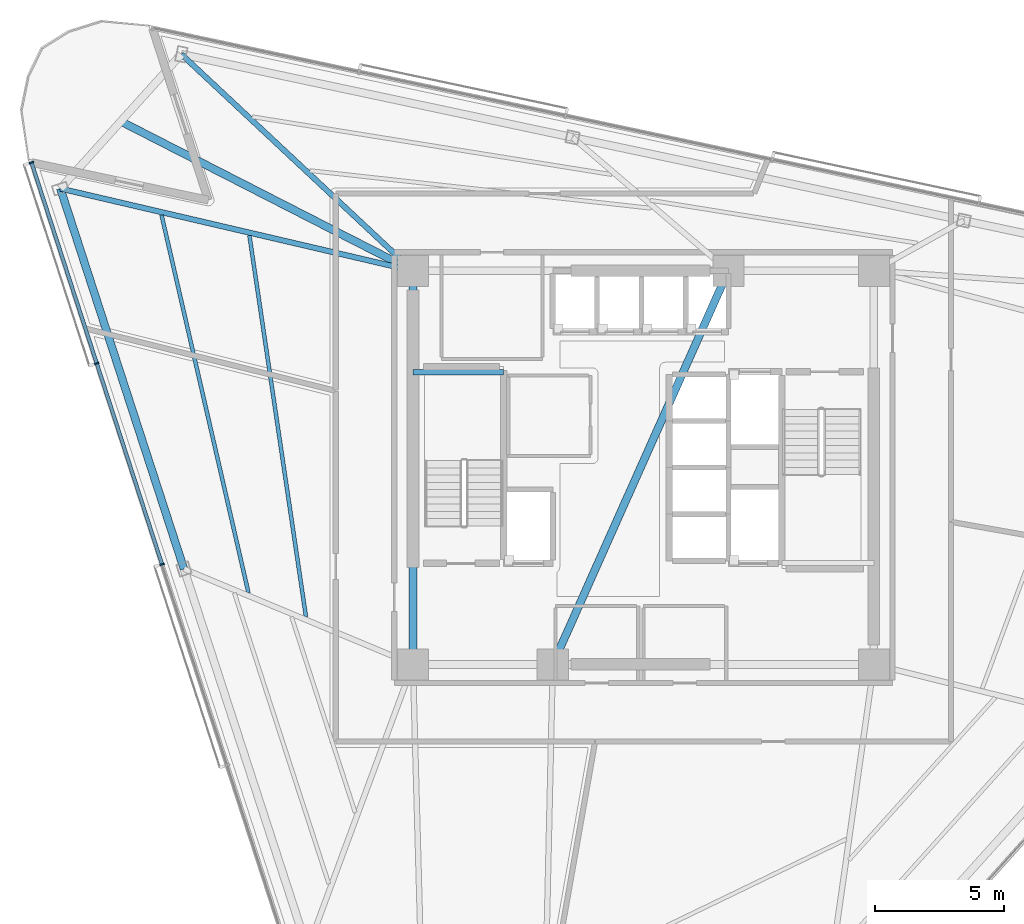
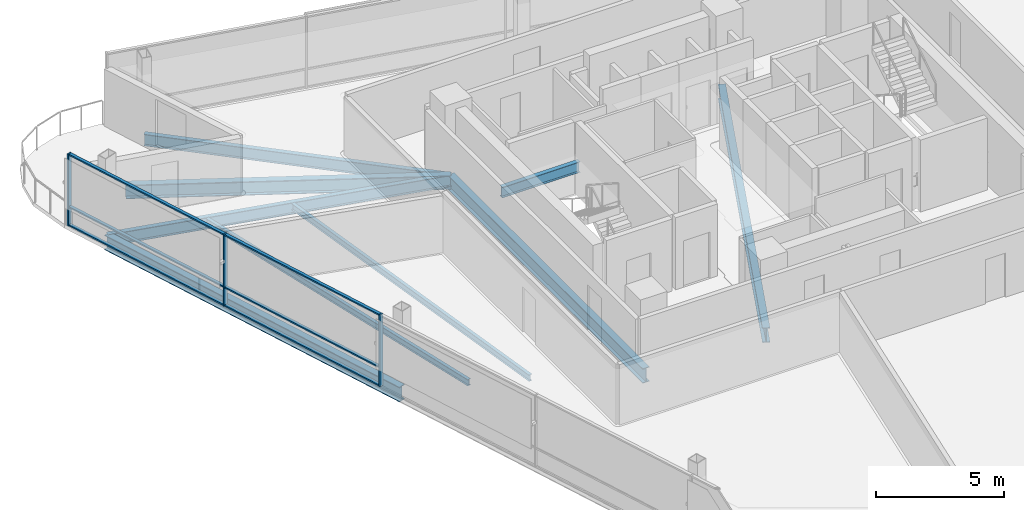
# One storey, part 5 of 16: 9 beams, 9 members, 1 element without a shape of its own.
"""IFC4 building model written with IfcOpenShell, lengths in metres."""

from ifc_helpers import new_model, si_unit, direction, frame, origin, origin_2d, place, context, subcontext, project, spatial, rectangle, i_section, extrude, material, layer, layer_set, material_profile, profile_set, type_object, element, aggregate, save


model = new_model("IFC4")

# Units and contexts
model_context = context("Model", 3, precision=1e-05, world=origin(), true_north=direction((0.0, 1.0)))
body_context = subcontext(model_context, "Body", "Model", "MODEL_VIEW")
ifc_project = project(units=[si_unit("LENGTHUNIT", "METRE"), si_unit("AREAUNIT", "SQUARE_METRE"), si_unit("VOLUMEUNIT", "CUBIC_METRE"), si_unit("PLANEANGLEUNIT", "RADIAN"), si_unit("MASSUNIT", "GRAM", prefix="KILO")], contexts=[model_context])

# Site, building, storey
site_placement = place(None, origin())
site = spatial("IfcSite", under=ifc_project, at=site_placement, CompositionType="ELEMENT")
building_placement = place(site_placement, origin())
building = spatial("IfcBuilding", under=site, at=building_placement, Name="Tharavind Bronze Gate", CompositionType="ELEMENT")
storey_placement = place(building_placement, frame((0.0, 0.0, 211.25)))
storey = spatial("IfcBuildingStorey", under=building, at=storey_placement, Name="L54", CompositionType="ELEMENT", Elevation=211.25)

# Curtain wall, members
ifc_material_1 = material(Name="Anodised Bronze Aluminium", Category="aluminium")
ifc_layer = layer(ifc_material_1, 0.219970703125)
ifc_layer_set = layer_set([ifc_layer], Name="Anodised Bronze Aluminium")
curtain_wall_type = type_object("IfcCurtainWallType", Name="UNITISED CURTAIN WALL MID OFFICE", PredefinedType="USERDEFINED", material=ifc_layer_set)
curtain_wall_placement = place(storey_placement, origin())
curtain_wall = element("IfcCurtainWall", 1, at=curtain_wall_placement, inside=storey, type_object=curtain_wall_type, Name="L54 unitised curtain wall mid office CW-L54-S1", ObjectType="UNITISED CURTAIN WALL", PredefinedType="USERDEFINED")
member_type_1 = type_object("IfcMemberType", Name="CURTAIN WALL BRONZE MULLION 65X180", PredefinedType="MULLION", material=ifc_material_1)
member_1_placement = place(storey_placement, frame((-23.630126953125, 11.780517578125, 0.0), z_axis=(0.0, 0.0, 1.0), x_axis=(0.309016994375, -0.951056516295, 0.0)))
member_1 = element("IfcMember", 2, at=member_1_placement, type_object=member_type_1, Name="CW-L54-S1 mullion 1", PredefinedType="MULLION", context=body_context, shape_type="SweptSolid", body=[
    extrude(rectangle(XDim=0.06494140625, YDim=0.179931640625, at=origin_2d()), origin(), (0.0, 0.0, 1.0), 3.419921875),
])
member_2_placement = place(storey_placement, frame((-21.10986328125, 4.02392578125, 0.0), z_axis=(0.0, 0.0, 1.0), x_axis=(0.309016994375, -0.951056516295, 0.0)))
member_2 = element("IfcMember", 3, at=member_2_placement, type_object=member_type_1, Name="CW-L54-S1 mullion 2", PredefinedType="MULLION", context=body_context, shape_type="SweptSolid", body=[
    extrude(rectangle(XDim=0.06494140625, YDim=0.179931640625, at=origin_2d()), origin(), (0.0, 0.0, 1.0), 3.419921875),
])
member_3_placement = place(storey_placement, frame((-18.589599609375, -3.732666015625, 0.0), z_axis=(0.0, 0.0, 1.0), x_axis=(0.309016994375, -0.951056516295, 0.0)))
member_3 = element("IfcMember", 4, at=member_3_placement, type_object=member_type_1, Name="CW-L54-S1 mullion 3", PredefinedType="MULLION", context=body_context, shape_type="SweptSolid", body=[
    extrude(rectangle(XDim=0.06494140625, YDim=0.179931640625, at=origin_2d()), origin(), (0.0, 0.0, 1.0), 3.419921875),
])
member_type_2 = type_object("IfcMemberType", Name="CURTAIN WALL BRONZE TRANSOM 65X140", PredefinedType="USERDEFINED", material=ifc_material_1)
member_4_placement = place(storey_placement, frame((-22.3701171875, 7.902099609375, 0.0), z_axis=(0.0, 0.0, 1.0), x_axis=(0.309016994375, -0.951056516295, 0.0)))
member_4 = element("IfcMember", 5, at=member_4_placement, type_object=member_type_2, Name="CW-L54-S1 transom TB1", ObjectType="TRANSOM", PredefinedType="USERDEFINED", context=body_context, shape_type="SweptSolid", body=[
    extrude(rectangle(XDim=8.102783203125, YDim=0.139892578125, at=origin_2d()), origin(), (0.0, 0.0, 1.0), 0.06494140625),
])
member_5_placement = place(storey_placement, frame((-22.3701171875, 7.902099609375, 0.867431640625), z_axis=(0.0, 0.0, 1.0), x_axis=(0.309016994375, -0.951056516295, 0.0)))
member_5 = element("IfcMember", 6, at=member_5_placement, type_object=member_type_2, Name="CW-L54-S1 transom TS1", ObjectType="TRANSOM", PredefinedType="USERDEFINED", context=body_context, shape_type="SweptSolid", body=[
    extrude(rectangle(XDim=8.102783203125, YDim=0.139892578125, at=origin_2d()), origin(), (0.0, 0.0, 1.0), 0.06494140625),
])
member_6_placement = place(storey_placement, frame((-22.3701171875, 7.902099609375, 3.35498046875), z_axis=(0.0, 0.0, 1.0), x_axis=(0.309016994375, -0.951056516295, 0.0)))
member_6 = element("IfcMember", 7, at=member_6_placement, type_object=member_type_2, Name="CW-L54-S1 transom TT1", ObjectType="TRANSOM", PredefinedType="USERDEFINED", context=body_context, shape_type="SweptSolid", body=[
    extrude(rectangle(XDim=8.102783203125, YDim=0.139892578125, at=origin_2d()), origin(), (0.0, 0.0, 1.0), 0.06494140625),
])
member_7_placement = place(storey_placement, frame((-19.849853515625, 0.145751953125, 0.0), z_axis=(0.0, 0.0, 1.0), x_axis=(0.309016994375, -0.951056516295, 0.0)))
member_7 = element("IfcMember", 8, at=member_7_placement, type_object=member_type_2, Name="CW-L54-S1 transom TB2", ObjectType="TRANSOM", PredefinedType="USERDEFINED", context=body_context, shape_type="SweptSolid", body=[
    extrude(rectangle(XDim=8.102783203125, YDim=0.139892578125, at=origin_2d()), origin(), (0.0, 0.0, 1.0), 0.06494140625),
])
member_8_placement = place(storey_placement, frame((-19.849853515625, 0.145751953125, 0.867431640625), z_axis=(0.0, 0.0, 1.0), x_axis=(0.309016994375, -0.951056516295, 0.0)))
member_8 = element("IfcMember", 9, at=member_8_placement, type_object=member_type_2, Name="CW-L54-S1 transom TS2", ObjectType="TRANSOM", PredefinedType="USERDEFINED", context=body_context, shape_type="SweptSolid", body=[
    extrude(rectangle(XDim=8.102783203125, YDim=0.139892578125, at=origin_2d()), origin(), (0.0, 0.0, 1.0), 0.06494140625),
])
member_9_placement = place(storey_placement, frame((-19.849853515625, 0.145751953125, 3.35498046875), z_axis=(0.0, 0.0, 1.0), x_axis=(0.309016994375, -0.951056516295, 0.0)))
member_9 = element("IfcMember", 10, at=member_9_placement, type_object=member_type_2, Name="CW-L54-S1 transom TT2", ObjectType="TRANSOM", PredefinedType="USERDEFINED", context=body_context, shape_type="SweptSolid", body=[
    extrude(rectangle(XDim=8.102783203125, YDim=0.139892578125, at=origin_2d()), origin(), (0.0, 0.0, 1.0), 0.06494140625),
])
aggregate(curtain_wall, [member_1, member_2, member_3, member_4, member_5, member_6, member_7, member_8, member_9])

# Beams
ifc_material_2 = material(Name="Steel S355", Category="steel")
ifc_material_profile_1 = material_profile(ifc_material_2, i_section(OverallWidth=0.300048828125, OverallDepth=0.64990234375, WebThickness=0.01611328125, FlangeThickness=0.031005859375, at=origin_2d()), Name="HE650B")
ifc_profile_set_1 = profile_set([ifc_material_profile_1], Name="Steel S355")
beam_type_1 = type_object("IfcBeamType", Name="PRIMARY GIRDER HE650B", PredefinedType="USERDEFINED", material=ifc_profile_set_1)
beam_1_placement = place(storey_placement, frame((-8.89990234375, 7.60009765625, -0.5048828125), z_axis=(-0.890281411762, 0.455410812202, 0.0), x_axis=(-0.455410812202, -0.890281411762, 0.0)))
element("IfcBeam", 11, at=beam_1_placement, inside=storey, type_object=beam_type_1, Name="L54 primary girder he650b BM-L54-BLCSB", ObjectType="GIRDER", PredefinedType="USERDEFINED", context=body_context, shape_type="SweptSolid", body=[
    extrude(i_section(OverallWidth=0.300048828125, OverallDepth=0.64990234375, WebThickness=0.01611328125, FlangeThickness=0.031005859375, at=origin_2d()), origin(), (0.0, 0.0, 1.0), 12.67041015625),
])
ifc_material_profile_2 = material_profile(ifc_material_2, i_section(OverallWidth=0.199951171875, OverallDepth=0.5, WebThickness=0.01025390625, FlangeThickness=0.01611328125, at=origin_2d()), Name="IPE500")
ifc_profile_set_2 = profile_set([ifc_material_profile_2], Name="Steel S355")
beam_type_2 = type_object("IfcBeamType", Name="PRIMARY GIRDER IPE500", PredefinedType="USERDEFINED", material=ifc_profile_set_2)
beam_2_placement = place(storey_placement, frame((-8.89990234375, 3.679931640625, 1.35009765625), z_axis=(1.0, 0.0, 0.0), x_axis=(0.0, 1.0, 0.0)))
element("IfcBeam", 12, at=beam_2_placement, inside=storey, type_object=beam_type_2, Name="L54 primary girder ipe500 BM-LD-ST1-L54-1", ObjectType="GIRDER", PredefinedType="USERDEFINED", context=body_context, shape_type="SweptSolid", body=[
    extrude(i_section(OverallWidth=0.199951171875, OverallDepth=0.5, WebThickness=0.01025390625, FlangeThickness=0.01611328125, at=origin_2d()), origin(), (0.0, 0.0, 1.0), 3.5),
])
ifc_material_profile_3 = material_profile(ifc_material_2, i_section(OverallWidth=0.2099609375, OverallDepth=0.550048828125, WebThickness=0.010986328125, FlangeThickness=0.01708984375, at=origin_2d()), Name="IPE550")
ifc_profile_set_3 = profile_set([ifc_material_profile_3], Name="Steel S355")
beam_type_3 = type_object("IfcBeamType", Name="PRIMARY GIRDER IPE550", PredefinedType="USERDEFINED", material=ifc_profile_set_3)
beam_3_placement = place(storey_placement, frame((-22.515380859375, 10.77685546875, -0.455078125), z_axis=(0.973844172145, -0.227216919219, 0.0), x_axis=(0.227216919219, 0.973844172145, 0.0)))
element("IfcBeam", 13, at=beam_3_placement, inside=storey, type_object=beam_type_3, Name="L54 primary girder ipe550 BM-L54-RAD01", ObjectType="GIRDER", PredefinedType="USERDEFINED", context=body_context, shape_type="SweptSolid", body=[
    extrude(i_section(OverallWidth=0.2099609375, OverallDepth=0.550048828125, WebThickness=0.010986328125, FlangeThickness=0.01708984375, at=origin_2d()), origin(), (0.0, 0.0, 1.0), 13.981201171875),
])
beam_4_placement = place(storey_placement, frame((-17.844970703125, 15.9638671875, -0.455078125), z_axis=(0.730442397204, -0.682974307252, 0.0), x_axis=(0.682974307252, 0.730442397204, 0.0)))
element("IfcBeam", 14, at=beam_4_placement, inside=storey, type_object=beam_type_3, Name="L54 primary girder ipe550 BM-L54-RAD12", ObjectType="GIRDER", PredefinedType="USERDEFINED", context=body_context, shape_type="SweptSolid", body=[
    extrude(i_section(OverallWidth=0.2099609375, OverallDepth=0.550048828125, WebThickness=0.010986328125, FlangeThickness=0.01708984375, at=origin_2d()), origin(), (0.0, 0.0, 1.0), 12.24609375),
])
ifc_material_profile_4 = material_profile(ifc_material_2, i_section(OverallWidth=0.300048828125, OverallDepth=0.699951171875, WebThickness=0.01708984375, FlangeThickness=0.031982421875, at=origin_2d()), Name="HE700B")
ifc_profile_set_4 = profile_set([ifc_material_profile_4], Name="Steel S355")
beam_type_4 = type_object("IfcBeamType", Name="RING GIRDER HE700B", PredefinedType="USERDEFINED", material=ifc_profile_set_4)
beam_5_placement = place(storey_placement, frame((-8.89990234375, 7.60009765625, -0.530029296875), z_axis=(0.0, -1.0, 0.0), x_axis=(1.0, 0.0, 0.0)))
element("IfcBeam", 15, at=beam_5_placement, inside=storey, type_object=beam_type_4, Name="L54 ring girder he700b BM-L54-CR6", ObjectType="GIRDER", PredefinedType="USERDEFINED", context=body_context, shape_type="SweptSolid", body=[
    extrude(i_section(OverallWidth=0.300048828125, OverallDepth=0.699951171875, WebThickness=0.01708984375, FlangeThickness=0.031982421875, at=origin_2d()), origin(), (0.0, 0.0, 1.0), 15.2001953125),
])
beam_6_placement = place(storey_placement, frame((-3.5, -7.60009765625, -0.530029296875), z_axis=(0.407361644566, 0.913266932795, 0.0), x_axis=(-0.913266932795, 0.407361644566, 0.0)))
element("IfcBeam", 16, at=beam_6_placement, inside=storey, type_object=beam_type_4, Name="L54 ring girder he700b BM-L54-CR7", ObjectType="GIRDER", PredefinedType="USERDEFINED", context=body_context, shape_type="SweptSolid", body=[
    extrude(i_section(OverallWidth=0.300048828125, OverallDepth=0.699951171875, WebThickness=0.01708984375, FlangeThickness=0.031982421875, at=origin_2d()), origin(), (0.0, 0.0, 1.0), 16.643798828125),
])
beam_7_placement = place(storey_placement, frame((-22.515380859375, 10.77685546875, -0.530029296875), z_axis=(0.309006009957, -0.951060085279, 0.0), x_axis=(0.951060085279, 0.309006009957, 0.0)))
element("IfcBeam", 17, at=beam_7_placement, inside=storey, type_object=beam_type_4, Name="L54 ring girder he700b BM-L54-PRG01", ObjectType="GIRDER", PredefinedType="USERDEFINED", context=body_context, shape_type="SweptSolid", body=[
    extrude(i_section(OverallWidth=0.300048828125, OverallDepth=0.699951171875, WebThickness=0.01708984375, FlangeThickness=0.031982421875, at=origin_2d()), origin(), (0.0, 0.0, 1.0), 15.4453125),
])
ifc_material_profile_5 = material_profile(ifc_material_2, i_section(OverallWidth=0.14990234375, OverallDepth=0.300048828125, WebThickness=0.007080078125, FlangeThickness=0.0107421875, at=origin_2d()), Name="IPE300")
ifc_profile_set_5 = profile_set([ifc_material_profile_5], Name="Steel S355")
beam_type_5 = type_object("IfcBeamType", Name="SECONDARY FLOOR JOIST IPE300", PredefinedType="JOIST", material=ifc_profile_set_5)
beam_8_placement = place(storey_placement, frame((-15.214111328125, 8.961669921875, -0.330078125), z_axis=(0.146719879942, -0.989178081454, 0.0), x_axis=(0.989178081454, 0.146719879942, 0.0)))
element("IfcBeam", 18, at=beam_8_placement, inside=storey, type_object=beam_type_5, Name="L54 secondary floor joist ipe300 BM-L54-JSTA01", PredefinedType="JOIST", context=body_context, shape_type="SweptSolid", body=[
    extrude(i_section(OverallWidth=0.14990234375, OverallDepth=0.300048828125, WebThickness=0.007080078125, FlangeThickness=0.0107421875, at=origin_2d()), origin(), (0.0, 0.0, 1.0), 14.8828125),
])
beam_9_placement = place(storey_placement, frame((-18.60791015625, 9.753662109375, -0.330078125), z_axis=(0.224186420064, -0.974546278562, 0.0), x_axis=(0.974546278562, 0.224186420064, 0.0)))
element("IfcBeam", 19, at=beam_9_placement, inside=storey, type_object=beam_type_5, Name="L54 secondary floor joist ipe300 BM-L54-JSTB01", PredefinedType="JOIST", context=body_context, shape_type="SweptSolid", body=[
    extrude(i_section(OverallWidth=0.14990234375, OverallDepth=0.300048828125, WebThickness=0.007080078125, FlangeThickness=0.0107421875, at=origin_2d()), origin(), (0.0, 0.0, 1.0), 14.968505859375),
])

save(model, "model.ifc")
